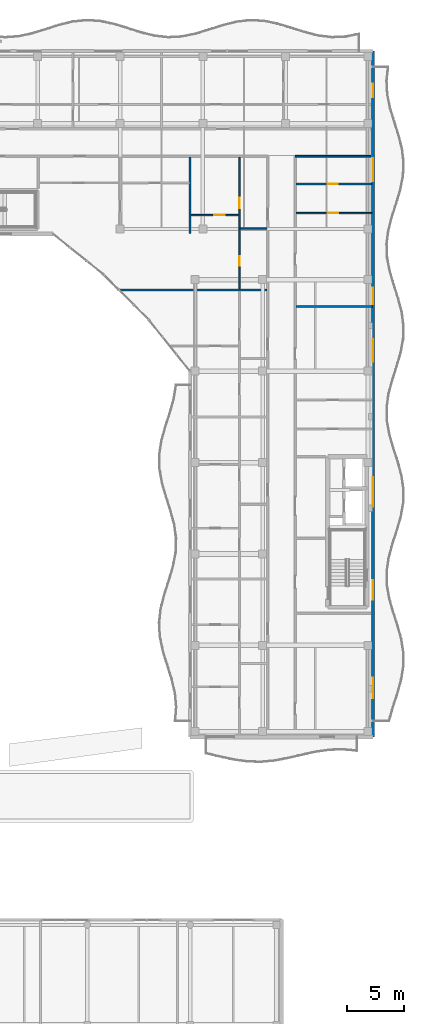
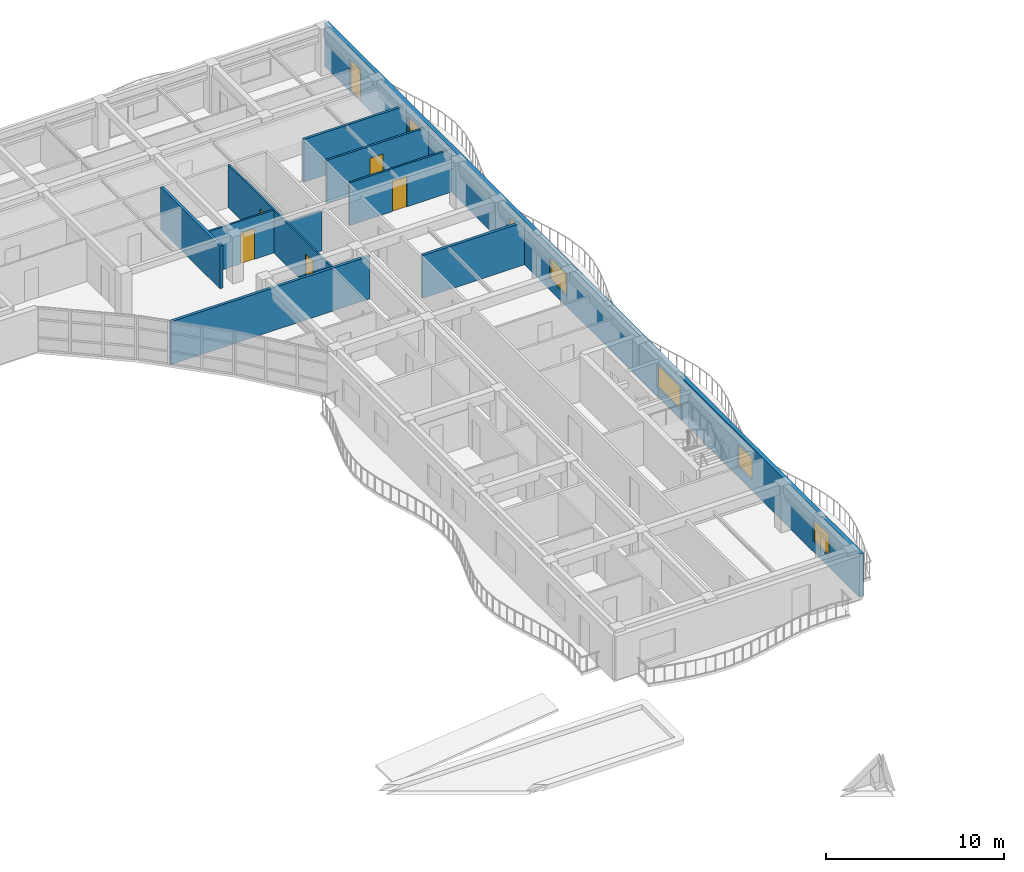
# One storey, part 99 of 128: 10 walls, 6 doors, 6 windows, 12 openings.
"""IFC4 building model written with IfcOpenShell, lengths in metres."""

import ifcopenshell
import ifcopenshell.guid

model = None  # the IFC model being written
_history = None  # IfcOwnerHistory: only IFC2X3 demands one
_inside = {}  # id of a spatial element -> (the spatial element, [elements in it])
_under = {}  # id of a project, library or spatial element -> (it, [spatial elements below it])
_declared = {}  # id of a project -> (the project, [libraries it declares])
_typed = {}  # id of a type object -> (the type object, [elements of that type])
_made_of = {}  # id of a material, layer set ... -> (it, [elements and type objects made of it])


def new_model(schema):
    """Start an empty IFC model of exactly this schema.

    Asked for "IFC4X3", IfcOpenShell would pick the latest addendum, in which some entities
    have other attributes; the version numbers below select the first issue.
    IFC2X3 requires an IfcOwnerHistory on every rooted entity: one is made here for all.
    """
    global model, _history
    if schema == "IFC4X3":
        model = ifcopenshell.file(schema_version=(4, 3, 0, 0))
    else:
        model = ifcopenshell.file(schema=schema)
    _inside.clear()
    _under.clear()
    _declared.clear()
    _typed.clear()
    _made_of.clear()
    _history = None
    if model.schema == "IFC2X3":
        org = make("IfcOrganization", Name="unknown")
        user = make(
            "IfcPersonAndOrganization",
            ThePerson=make("IfcPerson", FamilyName="unknown"),
            TheOrganization=org,
        )
        app = make(
            "IfcApplication",
            ApplicationDeveloper=org,
            Version="unknown",
            ApplicationFullName="unknown",
            ApplicationIdentifier="unknown",
        )
        _history = make(
            "IfcOwnerHistory",
            OwningUser=user,
            OwningApplication=app,
            ChangeAction="ADDED",
            CreationDate=0,
        )
    return model


def make(cls, **values):
    """One entity of the class cls with the attributes given. An attribute that is None is left unset."""
    return model.create_entity(
        cls, **{name: value for name, value in values.items() if value is not None}
    )


def rooted(cls, **values):
    """An entity with a GlobalId (a new one), such as an element, a storey or a relation."""
    return make(cls, GlobalId=ifcopenshell.guid.new(), OwnerHistory=_history, **values)


def si_unit(unit_type, name, prefix=None):
    """IfcSIUnit, for example si_unit("LENGTHUNIT", "METRE", prefix="MILLI")."""
    return make("IfcSIUnit", UnitType=unit_type, Prefix=prefix, Name=name)


def assignment(units):
    """IfcUnitAssignment: the units of a project."""
    return None if units is None else make("IfcUnitAssignment", Units=units)


def point(xyz):
    """IfcCartesianPoint."""
    return None if xyz is None else make("IfcCartesianPoint", Coordinates=xyz)


def direction(xyz):
    """IfcDirection."""
    return None if xyz is None else make("IfcDirection", DirectionRatios=xyz)


def frame(location, z_axis=None, x_axis=None):
    """IfcAxis2Placement3D, a coordinate frame: its origin and axes. An axis left out is left unset."""
    return make(
        "IfcAxis2Placement3D",
        Location=point(location),
        Axis=direction(z_axis),
        RefDirection=direction(x_axis),
    )


def frame_2d(location, x_axis=None):
    """IfcAxis2Placement2D, a coordinate frame in the plane: its origin and x axis."""
    return make(
        "IfcAxis2Placement2D", Location=point(location), RefDirection=direction(x_axis)
    )


def origin():
    """The frame at (0, 0, 0) with its axes left unset."""
    return frame((0.0, 0.0, 0.0))


def place(relative_to, where):
    """IfcLocalPlacement: puts the frame where relative to a parent placement (None: the world)."""
    return make(
        "IfcLocalPlacement", PlacementRelTo=relative_to, RelativePlacement=where
    )


def context(
    kind, dimensions, precision=None, world=None, true_north=None, identifier=None
):
    """IfcGeometricRepresentationContext, for example the 3D "Model" context."""
    return make(
        "IfcGeometricRepresentationContext",
        ContextIdentifier=identifier,
        ContextType=kind,
        CoordinateSpaceDimension=dimensions,
        Precision=precision,
        WorldCoordinateSystem=world,
        TrueNorth=true_north,
    )


def subcontext(parent, identifier, kind, view, scale=None):
    """IfcGeometricRepresentationSubContext, for example "Body" below "Model"."""
    return make(
        "IfcGeometricRepresentationSubContext",
        ContextIdentifier=identifier,
        ContextType=kind,
        ParentContext=parent,
        TargetScale=scale,
        TargetView=view,
    )


def project(units=None, contexts=None):
    """IfcProject with its units and contexts."""
    return rooted(
        "IfcProject",
        Name="project",
        RepresentationContexts=contexts,
        UnitsInContext=assignment(units),
    )


def spatial(cls, under=None, at=None, **own):
    """A site, building, storey or space (cls), placed at a placement, below another one or the project."""
    s = rooted(cls, ObjectPlacement=at, **own)
    if under is not None:
        _under.setdefault(under.id(), (under, []))[1].append(s)
    return s


def profile(cls, at=None, kind="AREA", **sizes):
    """A parametric profile (cls). Its sizes go by their IFC names, for example OverallWidth=200.0."""
    return make(cls, ProfileType=kind, Position=at, **sizes)


def rectangle(**sizes):
    """IfcRectangleProfileDef."""
    return profile("IfcRectangleProfileDef", **sizes)


def extrude(swept, where, along, depth):
    """IfcExtrudedAreaSolid: the profile swept, set in the frame where, extruded along a direction by depth."""
    return make(
        "IfcExtrudedAreaSolid",
        SweptArea=swept,
        Position=where,
        ExtrudedDirection=direction(along),
        Depth=depth,
    )


def shape(context_of_items, identifier, shape_type, items):
    """IfcShapeRepresentation: the items that make up one representation, for example the "Body"."""
    return make(
        "IfcShapeRepresentation",
        ContextOfItems=context_of_items,
        RepresentationIdentifier=identifier,
        RepresentationType=shape_type,
        Items=items,
    )


def material(Name=None, Category=None):
    """IfcMaterial."""
    return make("IfcMaterial", Name=Name, Category=Category)


def layer(
    of_material, thickness, ventilated=None, Name=None, Category=None, Priority=None
):
    """IfcMaterialLayer: one layer of a wall or slab, of a material (None: an air gap)."""
    return make(
        "IfcMaterialLayer",
        Material=of_material,
        LayerThickness=thickness,
        IsVentilated=ventilated,
        Name=Name,
        Category=Category,
        Priority=Priority,
    )


def layer_set(layers, Name=None):
    """IfcMaterialLayerSet."""
    return make("IfcMaterialLayerSet", MaterialLayers=layers, LayerSetName=Name)


def made_of(thing, what):
    """Note that an element or type object is made of a material, layer set ...; save() writes the relation."""
    if what is not None:
        _made_of.setdefault(what.id(), (what, []))[1].append(thing)
    return thing


def type_object(cls, material=None, **own):
    """A type object (cls), such as IfcWallType, which elements share."""
    return made_of(rooted(cls, **own), material)


def element(
    cls,
    number,
    at=None,
    inside=None,
    cuts=None,
    type_object=None,
    material=None,
    context=None,
    identifier="Body",
    shape_type=None,
    held_by="IfcProductDefinitionShape",
    body=None,
    shapes=None,
    **own,
):
    """One element of the class cls, such as IfcWall. Its Tag is "e" and its number.

    at: its placement. inside: the storey or other place that contains it. cuts: it is an
    opening in that element (IfcRelVoidsElement). A single representation is given by context,
    identifier, shape_type and body (its items); several are given by shapes. held_by: the class
    of the entity that holds the representations. save() writes the other relations.
    """
    e = rooted(cls, Tag="e%d" % number, ObjectPlacement=at, **own)
    if body is not None:
        shapes = [shape(context, identifier, shape_type, body)]
    if shapes is not None:
        e.Representation = make(held_by, Representations=shapes)
    if inside is not None:
        _inside.setdefault(inside.id(), (inside, []))[1].append(e)
    if cuts is not None:
        rooted(
            "IfcRelVoidsElement", RelatingBuildingElement=cuts, RelatedOpeningElement=e
        )
    if type_object is not None:
        _typed.setdefault(type_object.id(), (type_object, []))[1].append(e)
    return made_of(e, material)


def fill(opening, filler):
    """IfcRelFillsElement: the door or window that sits in an opening."""
    return rooted(
        "IfcRelFillsElement",
        RelatingOpeningElement=opening,
        RelatedBuildingElement=filler,
    )


def aggregate(whole, parts):
    """IfcRelAggregates: a whole, such as a stair, and the parts it consists of."""
    return rooted("IfcRelAggregates", RelatingObject=whole, RelatedObjects=parts)


def save(model, path):
    """Write the relations noted so far, then the file.

    IfcRelAggregates (storeys below a building ...), IfcRelContainedInSpatialStructure (elements
    in a storey), IfcRelDefinesByType, IfcRelAssociatesMaterial and IfcRelDeclares: one each for
    every whole, place, type object, material and project.
    """
    for whole, parts in _under.values():
        aggregate(whole, parts)
    for where, things in _inside.values():
        rooted(
            "IfcRelContainedInSpatialStructure",
            RelatedElements=things,
            RelatingStructure=where,
        )
    for kind, things in _typed.values():
        rooted("IfcRelDefinesByType", RelatedObjects=things, RelatingType=kind)
    for what, things in _made_of.values():
        rooted("IfcRelAssociatesMaterial", RelatedObjects=things, RelatingMaterial=what)
    for by, libraries in _declared.values():
        rooted("IfcRelDeclares", RelatingContext=by, RelatedDefinitions=libraries)
    model.write(path)


model = new_model("IFC4")

# Units and contexts
model_context = context("Model", 3, precision=1e-05, world=origin(), true_north=direction((0.0, 1.0)))
body_context = subcontext(model_context, "Body", "Model", "MODEL_VIEW")
ifc_project = project(units=[si_unit("LENGTHUNIT", "METRE"), si_unit("AREAUNIT", "SQUARE_METRE"), si_unit("VOLUMEUNIT", "CUBIC_METRE"), si_unit("PLANEANGLEUNIT", "RADIAN"), si_unit("MASSUNIT", "GRAM", prefix="KILO")], contexts=[model_context])

# Site, building, storey
site_placement = place(None, origin())
site = spatial("IfcSite", under=ifc_project, at=site_placement, CompositionType="ELEMENT")
building_placement = place(site_placement, origin())
building = spatial("IfcBuilding", under=site, at=building_placement, Name="Keldmere Railside Commons", CompositionType="ELEMENT")
storey_placement = place(building_placement, frame((0.0, 0.0, 4.159912109375)))
storey = spatial("IfcBuildingStorey", under=building, at=storey_placement, Name="L01", CompositionType="ELEMENT", Elevation=4.159912109375)

# Walls
ifc_material_1 = material(Name="Acoustic Gypsum Board Partition", Category="gypsum")
ifc_layer_1 = layer(ifc_material_1, 0.179931640625, Name="Acoustic Demising Partition 180")
ifc_layer_set_1 = layer_set([ifc_layer_1], Name="Acoustic Gypsum Board Partition")
wall_type_1 = type_object("IfcWallType", Name="Acoustic Demising Partition 180", PredefinedType="PARTITIONING", material=ifc_layer_set_1)
wall_1_placement = place(storey_placement, frame((168.0, 100.050048828125, 0.0), z_axis=(0.0, 0.0, 1.0), x_axis=(0.0, 1.0, 0.0)))
element("IfcWall", 1, at=wall_1_placement, inside=storey, type_object=wall_type_1, Name="IW-1 IW-L01-1427", PredefinedType="PARTITIONING", context=body_context, shape_type="SweptSolid", body=[
    extrude(rectangle(XDim=6.669921875, YDim=0.179931640625, at=frame_2d((3.3349609375, 0.0))), origin(), (0.0, 0.0, 1.0), 2.93505859375),
])
wall_2_placement = place(storey_placement, frame((161.83251953125, 95.10009765625, 0.0), z_axis=(0.0, 0.0, 1.0), x_axis=(1.0, 0.0, 0.0)))
element("IfcWall", 2, at=wall_2_placement, inside=storey, type_object=wall_type_1, Name="IW-1 IW-L01-1432", PredefinedType="PARTITIONING", context=body_context, shape_type="SweptSolid", body=[
    extrude(rectangle(XDim=12.887451171875, YDim=0.179931640625, at=frame_2d((6.44384765625, 0.0))), origin(), (0.0, 0.0, 1.0), 2.93505859375),
])
wall_3_placement = place(storey_placement, frame((177.280029296875, 93.64990234375, 0.0), z_axis=(0.0, 0.0, 1.0), x_axis=(1.0, 0.0, 0.0)))
element("IfcWall", 3, at=wall_3_placement, inside=storey, type_object=wall_type_1, Name="IW-1 IW-L01-1457", PredefinedType="PARTITIONING", context=body_context, shape_type="SweptSolid", body=[
    extrude(rectangle(XDim=6.679931640625, YDim=0.179931640625, at=frame_2d((3.33984375, 0.0))), origin(), (0.0, 0.0, 1.0), 2.93505859375),
])

# Wall, openings, doors
ifc_layer_2 = layer(ifc_material_1, 0.1201171875, Name="Apartment Interior Partition 120")
ifc_layer_set_2 = layer_set([ifc_layer_2], Name="Acoustic Gypsum Board Partition")
wall_type_2 = type_object("IfcWallType", Name="Apartment Interior Partition 120", PredefinedType="PARTITIONING", material=ifc_layer_set_2)
wall_4_placement = place(storey_placement, frame((172.340087890625, 95.18994140625, 0.0), z_axis=(0.0, 0.0, 1.0), x_axis=(0.0, 1.0, 0.0)))
wall_4 = element("IfcWall", 4, at=wall_4_placement, inside=storey, type_object=wall_type_2, Name="IW-4 IW-L01-1444", PredefinedType="PARTITIONING", context=body_context, shape_type="SweptSolid", body=[
    extrude(rectangle(XDim=11.530029296875, YDim=0.1201171875, at=frame_2d((5.76513671875, 0.0))), origin(), (0.0, 0.0, 1.0), 2.93505859375),
])
opening_1_placement = place(wall_4_placement, frame((2.013916015625, 0.0, 0.0)))
opening_1 = element("IfcOpeningElement", 5, at=opening_1_placement, cuts=wall_4, Name="Opening ID-04", PredefinedType="OPENING", context=body_context, shape_type="SweptSolid", body=[
    extrude(rectangle(XDim=0.860107421875, YDim=2.10009765625, at=frame_2d((0.43017578125, 1.050048828125))), frame((0.0, 0.070068359375, 0.0), z_axis=(0.0, -1.0, 0.0), x_axis=(1.0, 0.0, 0.0)), (0.0, 0.0, 1.0), 0.14013671875),
])
opening_2_placement = place(wall_4_placement, frame((7.04443359375, 0.0, 0.0)))
opening_2 = element("IfcOpeningElement", 6, at=opening_2_placement, cuts=wall_4, Name="Opening ID-03", PredefinedType="OPENING", context=body_context, shape_type="SweptSolid", body=[
    extrude(rectangle(XDim=0.919921875, YDim=2.10009765625, at=frame_2d((0.4599609375, 1.050048828125))), frame((0.0, 0.070068359375, 0.0), z_axis=(0.0, -1.0, 0.0), x_axis=(1.0, 0.0, 0.0)), (0.0, 0.0, 1.0), 0.14013671875),
])
ifc_material_2 = material(Name="Engineered Oak Timber", Category="wood")
door_type_1 = type_object("IfcDoorType", Name="Apartment Bathroom Door 860x2100", OperationType="NOTDEFINED", PredefinedType="DOOR", material=ifc_material_2)
door_1_placement = place(opening_1_placement, origin())
door_1 = element("IfcDoor", 7, at=door_1_placement, inside=storey, type_object=door_type_1, Name="ID-04 IDR-L01-1290", OperationType="SINGLE_SWING_RIGHT", OverallHeight=2.10009765625, OverallWidth=0.860107421875, PredefinedType="DOOR", context=body_context, shape_type="SweptSolid", body=[
    extrude(rectangle(XDim=0.860107421875, YDim=2.10009765625, at=frame_2d((0.43017578125, 1.050048828125))), frame((0.0, 0.02490234375, 0.0), z_axis=(0.0, -1.0, 0.0), x_axis=(1.0, 0.0, 0.0)), (0.0, 0.0, 1.0), 0.050048828125),
])
fill(opening_1, door_1)
door_type_2 = type_object("IfcDoorType", Name="Kitchen Pocket-Frame Swing Door 920x2100", OperationType="NOTDEFINED", PredefinedType="DOOR", material=ifc_material_2)
door_2_placement = place(opening_2_placement, origin())
door_2 = element("IfcDoor", 8, at=door_2_placement, inside=storey, type_object=door_type_2, Name="ID-03 IDR-L01-1291", OperationType="SINGLE_SWING_LEFT", OverallHeight=2.10009765625, OverallWidth=0.919921875, PredefinedType="DOOR", context=body_context, shape_type="SweptSolid", body=[
    extrude(rectangle(XDim=0.919921875, YDim=2.10009765625, at=frame_2d((0.4599609375, 1.050048828125))), frame((0.0, 0.02490234375, 0.0), z_axis=(0.0, -1.0, 0.0), x_axis=(1.0, 0.0, 0.0)), (0.0, 0.0, 1.0), 0.050048828125),
])
fill(opening_2, door_2)

# Wall, opening, door
wall_5_placement = place(storey_placement, frame((168.090087890625, 101.64990234375, 0.0), z_axis=(0.0, 0.0, 1.0), x_axis=(1.0, 0.0, 0.0)))
wall_5 = element("IfcWall", 9, at=wall_5_placement, inside=storey, type_object=wall_type_2, Name="IW-4 IW-L01-1446", PredefinedType="PARTITIONING", context=body_context, shape_type="SweptSolid", body=[
    extrude(rectangle(XDim=4.18994140625, YDim=0.1201171875, at=frame_2d((2.094970703125, 0.0))), origin(), (0.0, 0.0, 1.0), 2.93505859375),
])
opening_3_placement = place(wall_5_placement, frame((2.044921875, 0.0, 0.0)))
opening_3 = element("IfcOpeningElement", 10, at=opening_3_placement, cuts=wall_5, Name="Opening ID-01", PredefinedType="OPENING", context=body_context, shape_type="SweptSolid", body=[
    extrude(rectangle(XDim=0.89990234375, YDim=2.10009765625, at=frame_2d((0.449951171875, 1.050048828125))), frame((0.0, 0.070068359375, 0.0), z_axis=(0.0, -1.0, 0.0), x_axis=(1.0, 0.0, 0.0)), (0.0, 0.0, 1.0), 0.14013671875),
])
door_type_3 = type_object("IfcDoorType", Name="Primary Bedroom Door 900x2100", OperationType="NOTDEFINED", PredefinedType="DOOR", material=ifc_material_2)
door_3_placement = place(opening_3_placement, origin())
door_3 = element("IfcDoor", 11, at=door_3_placement, inside=storey, type_object=door_type_3, Name="ID-01 IDR-L01-1293", OperationType="SINGLE_SWING_LEFT", OverallHeight=2.10009765625, OverallWidth=0.89990234375, PredefinedType="DOOR", context=body_context, shape_type="SweptSolid", body=[
    extrude(rectangle(XDim=0.89990234375, YDim=2.10009765625, at=frame_2d((0.449951171875, 1.050048828125))), frame((0.0, 0.02490234375, 0.0), z_axis=(0.0, -1.0, 0.0), x_axis=(1.0, 0.0, 0.0)), (0.0, 0.0, 1.0), 0.050048828125),
])
fill(opening_3, door_3)

wall_6_placement = place(storey_placement, frame((177.280029296875, 101.820068359375, 0.0), z_axis=(0.0, 0.0, 1.0), x_axis=(1.0, 0.0, 0.0)))
wall_6 = element("IfcWall", 12, at=wall_6_placement, inside=storey, type_object=wall_type_2, Name="IW-4 IW-L01-1460", PredefinedType="PARTITIONING", context=body_context, shape_type="SweptSolid", body=[
    extrude(rectangle(XDim=6.6298828125, YDim=0.1201171875, at=frame_2d((3.31494140625, 0.0))), origin(), (0.0, 0.0, 1.0), 2.93505859375),
])
opening_4_placement = place(wall_6_placement, frame((2.78466796875, 0.0, 0.0)))
opening_4 = element("IfcOpeningElement", 13, at=opening_4_placement, cuts=wall_6, Name="Opening ID-03", PredefinedType="OPENING", context=body_context, shape_type="SweptSolid", body=[
    extrude(rectangle(XDim=0.919921875, YDim=2.10009765625, at=frame_2d((0.4599609375, 1.050048828125))), frame((0.0, 0.070068359375, 0.0), z_axis=(0.0, -1.0, 0.0), x_axis=(1.0, 0.0, 0.0)), (0.0, 0.0, 1.0), 0.14013671875),
])
door_4_placement = place(opening_4_placement, origin())
door_4 = element("IfcDoor", 14, at=door_4_placement, inside=storey, type_object=door_type_2, Name="ID-03 IDR-L01-1313", OperationType="SINGLE_SWING_LEFT", OverallHeight=2.10009765625, OverallWidth=0.919921875, PredefinedType="DOOR", context=body_context, shape_type="SweptSolid", body=[
    extrude(rectangle(XDim=0.919921875, YDim=2.10009765625, at=frame_2d((0.4599609375, 1.050048828125))), frame((0.0, 0.02490234375, 0.0), z_axis=(0.0, -1.0, 0.0), x_axis=(1.0, 0.0, 0.0)), (0.0, 0.0, 1.0), 0.050048828125),
])
fill(opening_4, door_4)

# Wall
ifc_layer_3 = layer(ifc_material_1, 0.159912109375, Name="Corridor Fire Partition 160")
ifc_layer_set_3 = layer_set([ifc_layer_3], Name="Acoustic Gypsum Board Partition")
wall_type_3 = type_object("IfcWallType", Name="Corridor Fire Partition 160", PredefinedType="PARTITIONING", material=ifc_layer_set_3)
wall_7_placement = place(storey_placement, frame((177.199951171875, 106.800048828125, 0.0), z_axis=(0.0, 0.0, 1.0), x_axis=(1.0, 0.0, 0.0)))
element("IfcWall", 15, at=wall_7_placement, inside=storey, type_object=wall_type_3, Name="IW-2 IW-L01-1425", PredefinedType="PARTITIONING", context=body_context, shape_type="SweptSolid", body=[
    extrude(rectangle(XDim=6.6201171875, YDim=0.159912109375, at=frame_2d((3.31005859375, 0.0))), origin(), (0.0, 0.0, 1.0), 2.93505859375),
])

# Wall, openings, windows, door
ifc_material_3 = material(Name="Terracotta Brick Masonry", Category="masonry")
ifc_layer_4 = layer(ifc_material_3, 0.260009765625, Name="Terracotta Cavity Wall 260")
ifc_layer_set_4 = layer_set([ifc_layer_4], Name="Terracotta Brick Masonry")
wall_type_4 = type_object("IfcWallType", Name="Terracotta Cavity Wall 260", PredefinedType="SOLIDWALL", material=ifc_layer_set_4)
wall_8_placement = place(storey_placement, frame((184.0, 116.0, 0.0), z_axis=(0.0, 0.0, 1.0), x_axis=(0.0, -1.0, 0.0)))
wall_8 = element("IfcWall", 16, at=wall_8_placement, inside=storey, type_object=wall_type_4, Name="EW-1 EXTA-L01-0883", PredefinedType="SOLIDWALL", context=body_context, shape_type="SweptSolid", body=[
    extrude(rectangle(XDim=60.0, YDim=0.260009765625, at=frame_2d((30.0, 0.0))), origin(), (0.0, 0.0, 1.0), 2.97998046875),
])
opening_5_placement = place(wall_8_placement, frame((2.835693359375, 0.0, 0.0)))
opening_5 = element("IfcOpeningElement", 17, at=opening_5_placement, cuts=wall_8, Name="Opening BD-01", PredefinedType="OPENING", context=body_context, shape_type="SweptSolid", body=[
    extrude(rectangle(XDim=1.199951171875, YDim=2.199951171875, at=frame_2d((0.60009765625, 1.10009765625))), frame((0.0, 0.139892578125, 0.0), z_axis=(0.0, -1.0, 0.0), x_axis=(1.0, 0.0, 0.0)), (0.0, 0.0, 1.0), 0.280029296875),
])
opening_6_placement = place(wall_8_placement, frame((9.3857421875, 0.0, 0.719970703125)))
opening_6 = element("IfcOpeningElement", 18, at=opening_6_placement, cuts=wall_8, Name="Opening WN-02", PredefinedType="OPENING", context=body_context, shape_type="SweptSolid", body=[
    extrude(rectangle(XDim=2.0, YDim=1.5, at=frame_2d((1.0, 0.75))), frame((0.0, 0.139892578125, 0.0), z_axis=(0.0, -1.0, 0.0), x_axis=(1.0, 0.0, 0.0)), (0.0, 0.0, 1.0), 0.280029296875),
])
opening_7_placement = place(wall_8_placement, frame((20.70361328125, 0.0, 0.77001953125)))
opening_7 = element("IfcOpeningElement", 19, at=opening_7_placement, cuts=wall_8, Name="Opening WN-24", PredefinedType="OPENING", context=body_context, shape_type="SweptSolid", body=[
    extrude(rectangle(XDim=1.449951171875, YDim=1.449951171875, at=frame_2d((0.72509765625, 0.72509765625))), frame((0.0, 0.139892578125, 0.0), z_axis=(0.0, -1.0, 0.0), x_axis=(1.0, 0.0, 0.0)), (0.0, 0.0, 1.0), 0.280029296875),
])
opening_8_placement = place(wall_8_placement, frame((25.22509765625, 0.0, 0.719970703125)))
opening_8 = element("IfcOpeningElement", 20, at=opening_8_placement, cuts=wall_8, Name="Opening WN-38", PredefinedType="OPENING", context=body_context, shape_type="SweptSolid", body=[
    extrude(rectangle(XDim=1.949951171875, YDim=1.5, at=frame_2d((0.97509765625, 0.75))), frame((0.0, 0.139892578125, 0.0), z_axis=(0.0, -1.0, 0.0), x_axis=(1.0, 0.0, 0.0)), (0.0, 0.0, 1.0), 0.280029296875),
])
opening_9_placement = place(wall_8_placement, frame((37.271484375, 0.0, 0.669921875)))
opening_9 = element("IfcOpeningElement", 21, at=opening_9_placement, cuts=wall_8, Name="Opening WN-39", PredefinedType="OPENING", context=body_context, shape_type="SweptSolid", body=[
    extrude(rectangle(XDim=2.60009765625, YDim=1.550048828125, at=frame_2d((1.300048828125, 0.77490234375))), frame((0.0, 0.139892578125, 0.0), z_axis=(0.0, -1.0, 0.0), x_axis=(1.0, 0.0, 0.0)), (0.0, 0.0, 1.0), 0.280029296875),
])
opening_10_placement = place(wall_8_placement, frame((46.302978515625, 0.0, 0.719970703125)))
opening_10 = element("IfcOpeningElement", 22, at=opening_10_placement, cuts=wall_8, Name="Opening WN-40", PredefinedType="OPENING", context=body_context, shape_type="SweptSolid", body=[
    extrude(rectangle(XDim=1.679931640625, YDim=1.5, at=frame_2d((0.83984375, 0.75))), frame((0.0, 0.139892578125, 0.0), z_axis=(0.0, -1.0, 0.0), x_axis=(1.0, 0.0, 0.0)), (0.0, 0.0, 1.0), 0.280029296875),
])
opening_11_placement = place(wall_8_placement, frame((54.814208984375, 0.0, 0.719970703125)))
opening_11 = element("IfcOpeningElement", 23, at=opening_11_placement, cuts=wall_8, Name="Opening WN-01", PredefinedType="OPENING", context=body_context, shape_type="SweptSolid", body=[
    extrude(rectangle(XDim=1.800048828125, YDim=1.5, at=frame_2d((0.89990234375, 0.75))), frame((0.0, 0.139892578125, 0.0), z_axis=(0.0, -1.0, 0.0), x_axis=(1.0, 0.0, 0.0)), (0.0, 0.0, 1.0), 0.280029296875),
])
ifc_material_4 = material(Name="Low-E Insulated Double Glazing", Category="glass")
window_type_1 = type_object("IfcWindowType", Name="Adaptable Apartment Wide Window 1950x1500", PartitioningType="SINGLE_PANEL", PredefinedType="WINDOW", material=ifc_material_4)
window_1_placement = place(opening_8_placement, origin())
window_1 = element("IfcWindow", 24, at=window_1_placement, inside=storey, type_object=window_type_1, Name="WN-38 WIN-L01-0589", OverallHeight=1.5, OverallWidth=1.949951171875, PartitioningType="SINGLE_PANEL", PredefinedType="WINDOW", context=body_context, shape_type="SweptSolid", body=[
    extrude(rectangle(XDim=1.949951171875, YDim=1.5, at=frame_2d((0.97509765625, 0.75))), frame((0.0, 0.030029296875, 0.0), z_axis=(0.0, -1.0, 0.0), x_axis=(1.0, 0.0, 0.0)), (0.0, 0.0, 1.0), 0.06005859375),
])
fill(opening_8, window_1)
ifc_material_5 = material(Name="Thermally Broken Aluminium", Category="aluminium")
door_type_4 = type_object("IfcDoorType", Name="Apartment Living Wave-Balcony Glazed Door 1200x2200", OperationType="NOTDEFINED", PredefinedType="DOOR", material=ifc_material_5)
door_5_placement = place(opening_5_placement, origin())
door_5 = element("IfcDoor", 25, at=door_5_placement, inside=storey, type_object=door_type_4, Name="BD-01 DR-L01-0221", OperationType="SINGLE_SWING_LEFT", OverallHeight=2.199951171875, OverallWidth=1.199951171875, PredefinedType="DOOR", context=body_context, shape_type="SweptSolid", body=[
    extrude(rectangle(XDim=1.199951171875, YDim=2.199951171875, at=frame_2d((0.60009765625, 1.10009765625))), frame((0.0, 0.02490234375, 0.0), z_axis=(0.0, -1.0, 0.0), x_axis=(1.0, 0.0, 0.0)), (0.0, 0.0, 1.0), 0.050048828125),
])
fill(opening_5, door_5)
window_type_2 = type_object("IfcWindowType", Name="Living Room North Casement Window 1800x1500", PartitioningType="SINGLE_PANEL", PredefinedType="WINDOW", material=ifc_material_4)
window_2_placement = place(opening_11_placement, origin())
window_2 = element("IfcWindow", 26, at=window_2_placement, inside=storey, type_object=window_type_2, Name="WN-01 WIN-L01-0592", OverallHeight=1.5, OverallWidth=1.800048828125, PartitioningType="SINGLE_PANEL", PredefinedType="WINDOW", context=body_context, shape_type="SweptSolid", body=[
    extrude(rectangle(XDim=1.800048828125, YDim=1.5, at=frame_2d((0.89990234375, 0.75))), frame((0.0, 0.030029296875, 0.0), z_axis=(0.0, -1.0, 0.0), x_axis=(1.0, 0.0, 0.0)), (0.0, 0.0, 1.0), 0.06005859375),
])
fill(opening_11, window_2)
window_type_3 = type_object("IfcWindowType", Name="Living Room South Casement Window 2000x1500", PartitioningType="SINGLE_PANEL", PredefinedType="WINDOW", material=ifc_material_4)
window_3_placement = place(opening_6_placement, origin())
window_3 = element("IfcWindow", 27, at=window_3_placement, inside=storey, type_object=window_type_3, Name="WN-02 WIN-L01-0586", OverallHeight=1.5, OverallWidth=2.0, PartitioningType="SINGLE_PANEL", PredefinedType="WINDOW", context=body_context, shape_type="SweptSolid", body=[
    extrude(rectangle(XDim=2.0, YDim=1.5, at=frame_2d((1.0, 0.75))), frame((0.0, 0.030029296875, 0.0), z_axis=(0.0, -1.0, 0.0), x_axis=(1.0, 0.0, 0.0)), (0.0, 0.0, 1.0), 0.06005859375),
])
fill(opening_6, window_3)
window_type_4 = type_object("IfcWindowType", Name="Setback Terrace Bedroom Window 1450x1450", PartitioningType="SINGLE_PANEL", PredefinedType="WINDOW", material=ifc_material_4)
window_4_placement = place(opening_7_placement, origin())
window_4 = element("IfcWindow", 28, at=window_4_placement, inside=storey, type_object=window_type_4, Name="WN-24 WIN-L01-0588", OverallHeight=1.449951171875, OverallWidth=1.449951171875, PartitioningType="SINGLE_PANEL", PredefinedType="WINDOW", context=body_context, shape_type="SweptSolid", body=[
    extrude(rectangle(XDim=1.449951171875, YDim=1.449951171875, at=frame_2d((0.72509765625, 0.72509765625))), frame((0.0, 0.030029296875, 0.0), z_axis=(0.0, -1.0, 0.0), x_axis=(1.0, 0.0, 0.0)), (0.0, 0.0, 1.0), 0.06005859375),
])
fill(opening_7, window_4)
window_type_5 = type_object("IfcWindowType", Name="Three-Bed Corner Living Window 2600x1550", PartitioningType="SINGLE_PANEL", PredefinedType="WINDOW", material=ifc_material_4)
window_5_placement = place(opening_9_placement, origin())
window_5 = element("IfcWindow", 29, at=window_5_placement, inside=storey, type_object=window_type_5, Name="WN-39 WIN-L01-0590", OverallHeight=1.550048828125, OverallWidth=2.60009765625, PartitioningType="SINGLE_PANEL", PredefinedType="WINDOW", context=body_context, shape_type="SweptSolid", body=[
    extrude(rectangle(XDim=2.60009765625, YDim=1.550048828125, at=frame_2d((1.300048828125, 0.77490234375))), frame((0.0, 0.030029296875, 0.0), z_axis=(0.0, -1.0, 0.0), x_axis=(1.0, 0.0, 0.0)), (0.0, 0.0, 1.0), 0.06005859375),
])
fill(opening_9, window_5)
window_type_6 = type_object("IfcWindowType", Name="Two-Bed Dining Casement Window 1680x1500", PartitioningType="SINGLE_PANEL", PredefinedType="WINDOW", material=ifc_material_4)
window_6_placement = place(opening_10_placement, origin())
window_6 = element("IfcWindow", 30, at=window_6_placement, inside=storey, type_object=window_type_6, Name="WN-40 WIN-L01-0591", OverallHeight=1.5, OverallWidth=1.679931640625, PartitioningType="SINGLE_PANEL", PredefinedType="WINDOW", context=body_context, shape_type="SweptSolid", body=[
    extrude(rectangle(XDim=1.679931640625, YDim=1.5, at=frame_2d((0.83984375, 0.75))), frame((0.0, 0.030029296875, 0.0), z_axis=(0.0, -1.0, 0.0), x_axis=(1.0, 0.0, 0.0)), (0.0, 0.0, 1.0), 0.06005859375),
])
fill(opening_10, window_6)

# Wall
ifc_layer_5 = layer(ifc_material_1, 0.139892578125, Name="Wet-Room Sanitary Partition 140")
ifc_layer_set_5 = layer_set([ifc_layer_5], Name="Acoustic Gypsum Board Partition")
wall_type_5 = type_object("IfcWallType", Name="Wet-Room Sanitary Partition 140", PredefinedType="PARTITIONING", material=ifc_layer_set_5)
wall_9_placement = place(storey_placement, frame((172.39990234375, 100.489990234375, 0.0), z_axis=(0.0, 0.0, 1.0), x_axis=(1.0, 0.0, 0.0)))
element("IfcWall", 31, at=wall_9_placement, inside=storey, type_object=wall_type_5, Name="IW-5 IW-L01-1445", PredefinedType="PARTITIONING", context=body_context, shape_type="SweptSolid", body=[
    extrude(rectangle(XDim=2.320068359375, YDim=0.139892578125, at=frame_2d((1.16015625, 0.0))), origin(), (0.0, 0.0, 1.0), 2.72998046875),
])

# Wall, opening, door
wall_10_placement = place(storey_placement, frame((177.280029296875, 104.3701171875, 0.0), z_axis=(0.0, 0.0, 1.0), x_axis=(1.0, 0.0, 0.0)))
wall_10 = element("IfcWall", 32, at=wall_10_placement, inside=storey, type_object=wall_type_5, Name="IW-5 IW-L01-1461", PredefinedType="PARTITIONING", context=body_context, shape_type="SweptSolid", body=[
    extrude(rectangle(XDim=6.6298828125, YDim=0.139892578125, at=frame_2d((3.31494140625, 0.0))), origin(), (0.0, 0.0, 1.0), 2.93505859375),
])
opening_12_placement = place(wall_10_placement, frame((2.78466796875, 0.0, 0.0)))
opening_12 = element("IfcOpeningElement", 33, at=opening_12_placement, cuts=wall_10, Name="Opening ID-04", PredefinedType="OPENING", context=body_context, shape_type="SweptSolid", body=[
    extrude(rectangle(XDim=0.860107421875, YDim=2.10009765625, at=frame_2d((0.43017578125, 1.050048828125))), frame((0.0, 0.079833984375, 0.0), z_axis=(0.0, -1.0, 0.0), x_axis=(1.0, 0.0, 0.0)), (0.0, 0.0, 1.0), 0.159912109375),
])
door_6_placement = place(opening_12_placement, origin())
door_6 = element("IfcDoor", 34, at=door_6_placement, inside=storey, type_object=door_type_1, Name="ID-04 IDR-L01-1312", OperationType="SINGLE_SWING_RIGHT", OverallHeight=2.10009765625, OverallWidth=0.860107421875, PredefinedType="DOOR", context=body_context, shape_type="SweptSolid", body=[
    extrude(rectangle(XDim=0.860107421875, YDim=2.10009765625, at=frame_2d((0.43017578125, 1.050048828125))), frame((0.0, 0.02490234375, 0.0), z_axis=(0.0, -1.0, 0.0), x_axis=(1.0, 0.0, 0.0)), (0.0, 0.0, 1.0), 0.050048828125),
])
fill(opening_12, door_6)

save(model, "model.ifc")
